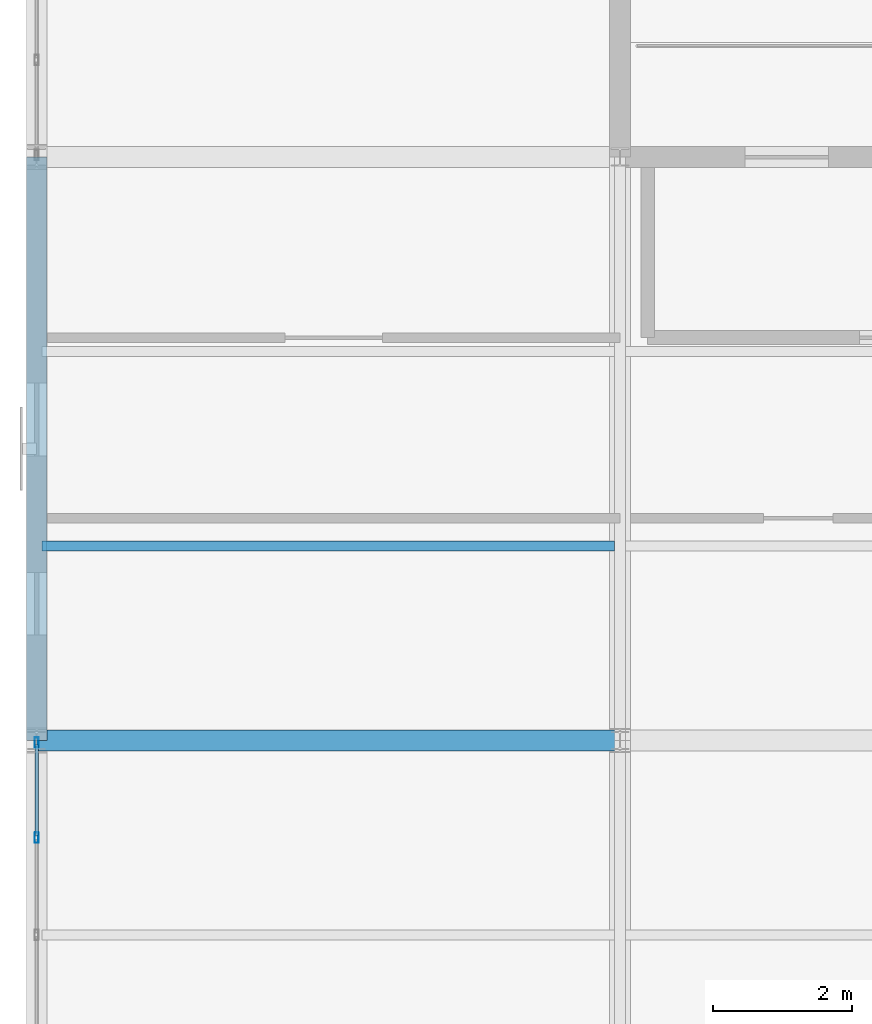
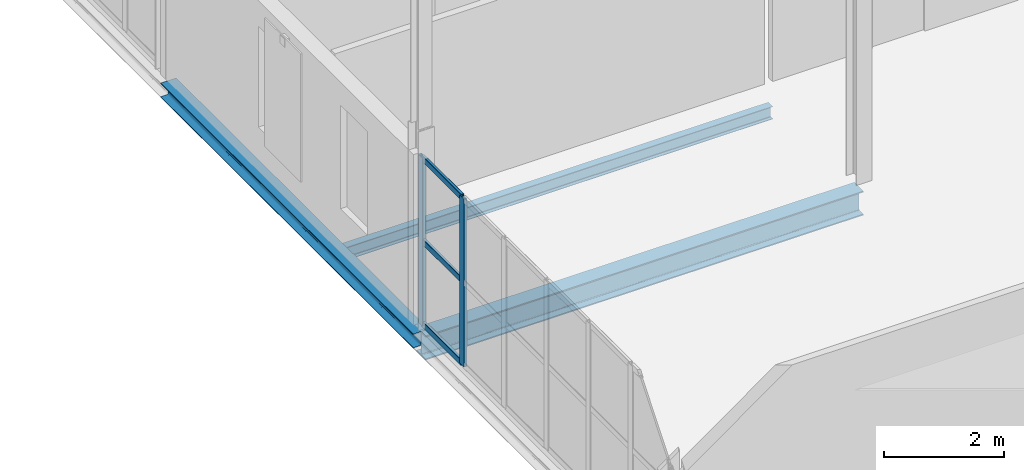
# One storey, part 49 of 184: 5 members, 3 beams, 1 element without a shape of its own.
"""IFC4 building model written with IfcOpenShell, lengths in metres."""

from ifc_helpers import new_model, si_unit, direction, frame, origin, origin_2d, place, context, subcontext, project, spatial, hollow_rectangle, i_section, extrude, material, layer, layer_set, material_profile, profile_set, type_object, element, aggregate, save


model = new_model("IFC4")

# Units and contexts
model_context = context("Model", 3, precision=1e-05, world=origin(), true_north=direction((0.0, 1.0)))
body_context = subcontext(model_context, "Body", "Model", "MODEL_VIEW")
ifc_project = project(units=[si_unit("LENGTHUNIT", "METRE"), si_unit("AREAUNIT", "SQUARE_METRE"), si_unit("VOLUMEUNIT", "CUBIC_METRE"), si_unit("PLANEANGLEUNIT", "RADIAN"), si_unit("MASSUNIT", "GRAM", prefix="KILO")], contexts=[model_context])

# Site, building, storey
site_placement = place(None, origin())
site = spatial("IfcSite", under=ifc_project, at=site_placement, CompositionType="ELEMENT")
building_placement = place(site_placement, origin())
building = spatial("IfcBuilding", under=site, at=building_placement, Name="Qalvenar Corner Mobility Hub", CompositionType="ELEMENT")
storey_placement = place(building_placement, frame((0.0, 0.0, 9.0)))
storey = spatial("IfcBuildingStorey", under=building, at=storey_placement, Name="L02", CompositionType="ELEMENT", Elevation=9.0)

# Beams
ifc_material_1 = material(Name="Steel S355", Category="steel")
ifc_material_profile_1 = material_profile(ifc_material_1, i_section(OverallWidth=0.300048828125, OverallDepth=0.489990234375, WebThickness=0.011962890625, FlangeThickness=0.02294921875, FilletRadius=0.027099609375, at=origin_2d()), Name="HEA500")
ifc_profile_set_1 = profile_set([ifc_material_profile_1], Name="Steel S355")
beam_type_1 = type_object("IfcBeamType", Name="BM-HEA500", PredefinedType="BEAM", material=ifc_profile_set_1)
beam_1_placement = place(storey_placement, frame((0.0, 50.39990234375, -0.425048828125), z_axis=(1.0, 0.0, 0.0), x_axis=(0.0, 1.0, 0.0)))
element("IfcBeam", 1, at=beam_1_placement, inside=storey, type_object=beam_type_1, Name="Primary Steel Girder GX-1819", PredefinedType="BEAM", context=body_context, shape_type="SweptSolid", body=[
    extrude(i_section(OverallWidth=0.300048828125, OverallDepth=0.489990234375, WebThickness=0.011962890625, FlangeThickness=0.02294921875, FilletRadius=0.027099609375, at=origin_2d()), origin(), (0.0, 0.0, 1.0), 8.39990234375),
])
ifc_material_profile_2 = material_profile(ifc_material_1, i_section(OverallWidth=0.14599609375, OverallDepth=0.258056640625, WebThickness=0.006103515625, FlangeThickness=0.009033203125, FilletRadius=0.011962890625, at=origin_2d()), Name="W250x32.7")
ifc_profile_set_2 = profile_set([ifc_material_profile_2], Name="Steel S355")
beam_type_2 = type_object("IfcBeamType", Name="BM-JST250", PredefinedType="JOIST", material=ifc_profile_set_2)
beam_2_placement = place(storey_placement, frame((0.077880859375, 53.199951171875, -0.30908203125), z_axis=(1.0, 0.0, 0.0), x_axis=(0.0, 1.0, 0.0)))
element("IfcBeam", 2, at=beam_2_placement, inside=storey, type_object=beam_type_2, Name="Composite Floor Joist J-1866", PredefinedType="JOIST", context=body_context, shape_type="SweptSolid", body=[
    extrude(i_section(OverallWidth=0.14599609375, OverallDepth=0.258056640625, WebThickness=0.006103515625, FlangeThickness=0.009033203125, FilletRadius=0.011962890625, at=origin_2d()), origin(), (0.0, 0.0, 1.0), 8.244140625),
])
ifc_material_profile_3 = material_profile(ifc_material_1, i_section(OverallWidth=0.300048828125, OverallDepth=0.2900390625, WebThickness=0.008544921875, FlangeThickness=0.013916015625, FilletRadius=0.027099609375, at=origin_2d()), Name="HEA300")
ifc_profile_set_3 = profile_set([ifc_material_profile_3], Name="Steel S355")
beam_type_3 = type_object("IfcBeamType", Name="BM-SPN300", PredefinedType="SPANDREL", material=ifc_profile_set_3)
beam_3_placement = place(storey_placement, frame((0.0, 50.39990234375, -0.324951171875), z_axis=(0.0, 1.0, 0.0), x_axis=(-1.0, 0.0, 0.0)))
element("IfcBeam", 3, at=beam_3_placement, inside=storey, type_object=beam_type_3, Name="Primary Steel Girder GY-1840", PredefinedType="SPANDREL", context=body_context, shape_type="SweptSolid", body=[
    extrude(i_section(OverallWidth=0.300048828125, OverallDepth=0.2900390625, WebThickness=0.008544921875, FlangeThickness=0.013916015625, FilletRadius=0.027099609375, at=origin_2d()), origin(), (0.0, 0.0, 1.0), 8.400146484375),
])

# Curtain wall, members
ifc_material_2 = material(Name="Anodised Aluminium and Low-E Glazing", Category="aluminium")
ifc_layer = layer(ifc_material_2, 0.14990234375)
ifc_layer_set = layer_set([ifc_layer], Name="Anodised Aluminium and Low-E Glazing")
curtain_wall_type = type_object("IfcCurtainWallType", Name="CW-CYC-84X39", PredefinedType="NOTDEFINED", material=ifc_layer_set)
curtain_wall_placement = place(storey_placement, origin())
curtain_wall = element("IfcCurtainWall", 4, at=curtain_wall_placement, inside=storey, type_object=curtain_wall_type, Name="Glazed Curtain Wall CW-V5-L02-W0", PredefinedType="NOTDEFINED")
ifc_material_3 = material(Name="Anodised Aluminium 6063-T6", Category="aluminium")
ifc_material_profile_4 = material_profile(ifc_material_3, hollow_rectangle(XDim=0.06005859375, YDim=0.14990234375, WallThickness=0.00390625, InnerFilletRadius=0.00390625, OuterFilletRadius=0.008056640625, at=origin_2d()), Name="RHS150x60x4")
ifc_profile_set_4 = profile_set([ifc_material_profile_4], Name="Anodised Aluminium 6063-T6")
member_type_1 = type_object("IfcMemberType", Name="CW-MUL150", PredefinedType="MULLION", material=ifc_profile_set_4)
member_1_placement = place(storey_placement, frame((0.0, 50.3701171875, 0.0), z_axis=(0.0, 0.0, 1.0), x_axis=(1.0, 0.0, 0.0)))
member_1 = element("IfcMember", 5, at=member_1_placement, type_object=member_type_1, Name="CW-08 mullion 1", PredefinedType="MULLION", context=body_context, shape_type="SweptSolid", body=[
    extrude(hollow_rectangle(XDim=0.06005859375, YDim=0.14990234375, WallThickness=0.00390625, InnerFilletRadius=0.00390625, OuterFilletRadius=0.008056640625, at=origin_2d()), origin(), (0.0, 0.0, 1.0), 3.409912109375),
])
member_2_placement = place(storey_placement, frame((0.0, 49.0, 0.0), z_axis=(0.0, 0.0, 1.0), x_axis=(1.0, 0.0, 0.0)))
member_2 = element("IfcMember", 6, at=member_2_placement, type_object=member_type_1, Name="CW-08 mullion 2", PredefinedType="MULLION", context=body_context, shape_type="SweptSolid", body=[
    extrude(hollow_rectangle(XDim=0.06005859375, YDim=0.14990234375, WallThickness=0.00390625, InnerFilletRadius=0.00390625, OuterFilletRadius=0.008056640625, at=origin_2d()), origin(), (0.0, 0.0, 1.0), 3.409912109375),
])
ifc_material_profile_5 = material_profile(ifc_material_3, hollow_rectangle(XDim=0.054931640625, YDim=0.1201171875, WallThickness=0.00341796875, InnerFilletRadius=0.00341796875, OuterFilletRadius=0.007080078125, at=origin_2d()), Name="RHS120x55x3.5")
ifc_profile_set_5 = profile_set([ifc_material_profile_5], Name="Anodised Aluminium 6063-T6")
member_type_2 = type_object("IfcMemberType", Name="CW-TRN120", PredefinedType="USERDEFINED", material=ifc_profile_set_5)
member_3_placement = place(storey_placement, frame((0.0, 50.340087890625, 0.027587890625), z_axis=(0.0, -1.0, 0.0), x_axis=(1.0, 0.0, 0.0)))
member_3 = element("IfcMember", 7, at=member_3_placement, type_object=member_type_2, Name="CW-08 transom 1.1", ObjectType="TRANSOM", PredefinedType="USERDEFINED", context=body_context, shape_type="SweptSolid", body=[
    extrude(hollow_rectangle(XDim=0.054931640625, YDim=0.1201171875, WallThickness=0.00341796875, InnerFilletRadius=0.00341796875, OuterFilletRadius=0.007080078125, at=origin_2d()), origin(), (0.0, 0.0, 1.0), 1.31005859375),
])
member_4_placement = place(storey_placement, frame((0.0, 50.340087890625, 1.705078125), z_axis=(0.0, -1.0, 0.0), x_axis=(1.0, 0.0, 0.0)))
member_4 = element("IfcMember", 8, at=member_4_placement, type_object=member_type_2, Name="CW-08 transom 1.2", ObjectType="TRANSOM", PredefinedType="USERDEFINED", context=body_context, shape_type="SweptSolid", body=[
    extrude(hollow_rectangle(XDim=0.054931640625, YDim=0.1201171875, WallThickness=0.00341796875, InnerFilletRadius=0.00341796875, OuterFilletRadius=0.007080078125, at=origin_2d()), origin(), (0.0, 0.0, 1.0), 1.31005859375),
])
member_5_placement = place(storey_placement, frame((0.0, 50.340087890625, 3.382568359375), z_axis=(0.0, -1.0, 0.0), x_axis=(1.0, 0.0, 0.0)))
member_5 = element("IfcMember", 9, at=member_5_placement, type_object=member_type_2, Name="CW-08 transom 1.3", ObjectType="TRANSOM", PredefinedType="USERDEFINED", context=body_context, shape_type="SweptSolid", body=[
    extrude(hollow_rectangle(XDim=0.054931640625, YDim=0.1201171875, WallThickness=0.00341796875, InnerFilletRadius=0.00341796875, OuterFilletRadius=0.007080078125, at=origin_2d()), origin(), (0.0, 0.0, 1.0), 1.31005859375),
])
aggregate(curtain_wall, [member_1, member_2, member_3, member_4, member_5])

save(model, "model.ifc")
